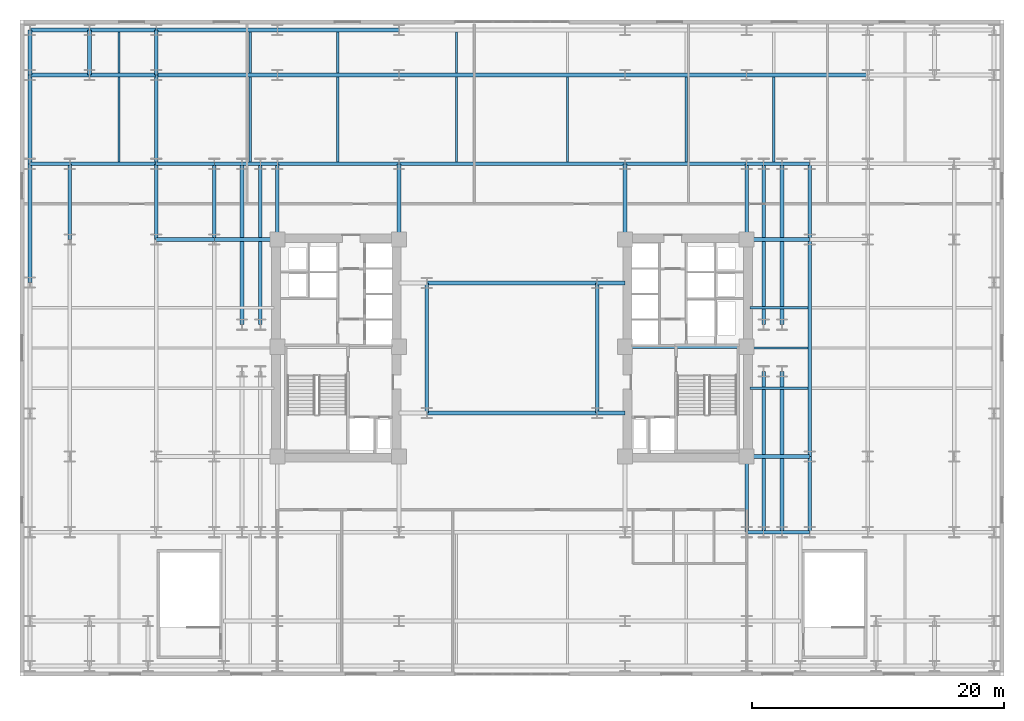
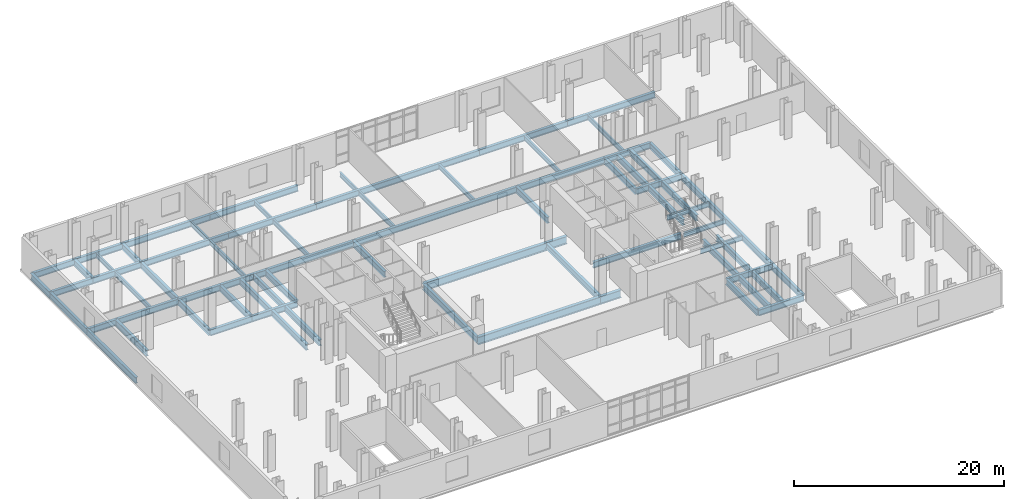
# One storey, part 4 of 13: 68 beams.
"""IFC4 building model written with IfcOpenShell, lengths in metres."""

from ifc_helpers import new_model, si_unit, direction, frame, origin, origin_2d, place, context, subcontext, project, spatial, i_section, extrude, material, material_profile, profile_set, type_object, element, save


model = new_model("IFC4")

# Units and contexts
model_context = context("Model", 3, precision=1e-05, world=origin(), true_north=direction((0.0, 1.0)))
body_context = subcontext(model_context, "Body", "Model", "MODEL_VIEW")
ifc_project = project(units=[si_unit("LENGTHUNIT", "METRE"), si_unit("AREAUNIT", "SQUARE_METRE"), si_unit("VOLUMEUNIT", "CUBIC_METRE"), si_unit("PLANEANGLEUNIT", "RADIAN"), si_unit("MASSUNIT", "GRAM", prefix="KILO")], contexts=[model_context])

# Site, building, storey
site_placement = place(None, origin())
site = spatial("IfcSite", under=ifc_project, at=site_placement, CompositionType="ELEMENT")
building_placement = place(site_placement, origin())
building = spatial("IfcBuilding", under=site, at=building_placement, Name="Velakula Bourse", CompositionType="ELEMENT")
storey_placement = place(building_placement, frame((0.0, 0.0, 22.800048828125)))
storey = spatial("IfcBuildingStorey", under=building, at=storey_placement, Name="L05", CompositionType="ELEMENT", Elevation=22.800048828125)

# Beams
ifc_material = material(Name="Steel IS 2062 Grade 350 (E350)", Category="steel")
ifc_material_profile_1 = material_profile(ifc_material, i_section(OverallWidth=0.35009765625, OverallDepth=0.89990234375, WebThickness=0.02001953125, FlangeThickness=0.031982421875, at=origin_2d()), Name="Steel IS 2062 Grade 350 (E350)")
ifc_profile_set_1 = profile_set([ifc_material_profile_1], Name="Steel IS 2062 Grade 350 (E350)")
beam_type_1 = type_object("IfcBeamType", Name="BM-LNK-900", PredefinedType="BEAM", material=ifc_profile_set_1)
beam_1_placement = place(storey_placement, frame((-6.75, -5.14990234375, -0.699951171875), z_axis=(1.0, 0.0, 0.0), x_axis=(0.0, 1.0, 0.0)))
element("IfcBeam", 1, at=beam_1_placement, inside=storey, type_object=beam_type_1, Name="L05 Primary Backbone Girder LNK-S2", PredefinedType="BEAM", context=body_context, shape_type="SweptSolid", body=[
    extrude(i_section(OverallWidth=0.35009765625, OverallDepth=0.89990234375, WebThickness=0.02001953125, FlangeThickness=0.031982421875, at=origin_2d()), origin(), (0.0, 0.0, 1.0), 13.5),
])
beam_2_placement = place(storey_placement, frame((6.75, -5.14990234375, -0.699951171875), z_axis=(1.0, 0.0, 0.0), x_axis=(0.0, 1.0, 0.0)))
element("IfcBeam", 2, at=beam_2_placement, inside=storey, type_object=beam_type_1, Name="L05 Primary Backbone Girder LNK-S3", PredefinedType="BEAM", context=body_context, shape_type="SweptSolid", body=[
    extrude(i_section(OverallWidth=0.35009765625, OverallDepth=0.89990234375, WebThickness=0.02001953125, FlangeThickness=0.031982421875, at=origin_2d()), origin(), (0.0, 0.0, 1.0), 2.199951171875),
])
beam_3_placement = place(storey_placement, frame((-6.75, 5.14990234375, -0.699951171875), z_axis=(1.0, 0.0, 0.0), x_axis=(0.0, 1.0, 0.0)))
element("IfcBeam", 3, at=beam_3_placement, inside=storey, type_object=beam_type_1, Name="L05 Primary Backbone Girder LNK-N2", PredefinedType="BEAM", context=body_context, shape_type="SweptSolid", body=[
    extrude(i_section(OverallWidth=0.35009765625, OverallDepth=0.89990234375, WebThickness=0.02001953125, FlangeThickness=0.031982421875, at=origin_2d()), origin(), (0.0, 0.0, 1.0), 13.5),
])
beam_4_placement = place(storey_placement, frame((6.75, 5.14990234375, -0.699951171875), z_axis=(1.0, 0.0, 0.0), x_axis=(0.0, 1.0, 0.0)))
element("IfcBeam", 4, at=beam_4_placement, inside=storey, type_object=beam_type_1, Name="L05 Primary Backbone Girder LNK-N3", PredefinedType="BEAM", context=body_context, shape_type="SweptSolid", body=[
    extrude(i_section(OverallWidth=0.35009765625, OverallDepth=0.89990234375, WebThickness=0.02001953125, FlangeThickness=0.031982421875, at=origin_2d()), origin(), (0.0, 0.0, 1.0), 2.199951171875),
])
ifc_material_profile_2 = material_profile(ifc_material, i_section(OverallWidth=0.300048828125, OverallDepth=0.699951171875, WebThickness=0.01611328125, FlangeThickness=0.02490234375, at=origin_2d()), Name="Steel IS 2062 Grade 350 (E350)")
ifc_profile_set_2 = profile_set([ifc_material_profile_2], Name="Steel IS 2062 Grade 350 (E350)")
beam_type_2 = type_object("IfcBeamType", Name="BM-POD-700", PredefinedType="BEAM", material=ifc_profile_set_2)
beam_5_placement = place(storey_placement, frame((8.949951171875, 0.10009765625, -0.60009765625), z_axis=(1.0, 0.0, 0.0), x_axis=(0.0, 1.0, 0.0)))
element("IfcBeam", 5, at=beam_5_placement, inside=storey, type_object=beam_type_2, Name="L05 Primary Backbone Girder CRE-M", PredefinedType="BEAM", context=body_context, shape_type="SweptSolid", body=[
    extrude(i_section(OverallWidth=0.300048828125, OverallDepth=0.699951171875, WebThickness=0.01611328125, FlangeThickness=0.02490234375, at=origin_2d()), origin(), (0.0, 0.0, 1.0), 9.650146484375),
])
for number, where, z_axis, x_axis, name in (
    (6, (-6.75, -5.14990234375, -0.60009765625), (0.0, 1.0, 0.0), (-1.0, 0.0, 0.0), "L05 Primary Backbone Girder SPN-W"),
    (7, (6.75, -5.14990234375, -0.60009765625), (0.0, 1.0, 0.0), (-1.0, 0.0, 0.0), "L05 Primary Backbone Girder SPN-E"),
):
    element("IfcBeam", number, at=place(storey_placement, frame(where, z_axis=z_axis, x_axis=x_axis)), inside=storey, type_object=beam_type_2, Name=name, PredefinedType="BEAM", context=body_context, shape_type="SweptSolid", body=[
        extrude(i_section(OverallWidth=0.300048828125, OverallDepth=0.699951171875, WebThickness=0.01611328125, FlangeThickness=0.02490234375, at=origin_2d()), origin(), (0.0, 0.0, 1.0), 10.2998046875),
    ])
for number, where, z_axis, x_axis, name in (
    (8, (-18.60009765625, 8.60009765625, -0.60009765625), (0.0, 1.0, 0.0), (-1.0, 0.0, 0.0), "L05 Fulcrum Grid Girder FLC-WN"),
    (9, (-8.949951171875, 8.60009765625, -0.60009765625), (0.0, 1.0, 0.0), (-1.0, 0.0, 0.0), "L05 Fulcrum Grid Girder FLC-WCN"),
    (10, (8.949951171875, 8.60009765625, -0.60009765625), (0.0, 1.0, 0.0), (-1.0, 0.0, 0.0), "L05 Fulcrum Grid Girder FLC-ECN"),
    (11, (18.60009765625, -14.60009765625, -0.60009765625), (0.0, 1.0, 0.0), (-1.0, 0.0, 0.0), "L05 Fulcrum Grid Girder FLC-ES"),
    (12, (18.60009765625, 8.60009765625, -0.60009765625), (0.0, 1.0, 0.0), (-1.0, 0.0, 0.0), "L05 Fulcrum Grid Girder FLC-EN"),
):
    element("IfcBeam", number, at=place(storey_placement, frame(where, z_axis=z_axis, x_axis=x_axis)), inside=storey, type_object=beam_type_2, Name=name, PredefinedType="BEAM", context=body_context, shape_type="SweptSolid", body=[
        extrude(i_section(OverallWidth=0.300048828125, OverallDepth=0.699951171875, WebThickness=0.01611328125, FlangeThickness=0.02490234375, at=origin_2d()), origin(), (0.0, 0.0, 1.0), 6.0),
    ])
beam_6_placement = place(storey_placement, frame((-18.60009765625, 14.60009765625, -0.60009765625), z_axis=(1.0, 0.0, 0.0), x_axis=(0.0, 1.0, 0.0)))
element("IfcBeam", 13, at=beam_6_placement, inside=storey, type_object=beam_type_2, Name="L05 Fulcrum Grid Girder FLC-N1", PredefinedType="BEAM", context=body_context, shape_type="SweptSolid", body=[
    extrude(i_section(OverallWidth=0.300048828125, OverallDepth=0.699951171875, WebThickness=0.01611328125, FlangeThickness=0.02490234375, at=origin_2d()), origin(), (0.0, 0.0, 1.0), 9.650146484375),
])
beam_7_placement = place(storey_placement, frame((-8.949951171875, 14.60009765625, -0.60009765625), z_axis=(1.0, 0.0, 0.0), x_axis=(0.0, 1.0, 0.0)))
element("IfcBeam", 14, at=beam_7_placement, inside=storey, type_object=beam_type_2, Name="L05 Fulcrum Grid Girder FLC-N2", PredefinedType="BEAM", context=body_context, shape_type="SweptSolid", body=[
    extrude(i_section(OverallWidth=0.300048828125, OverallDepth=0.699951171875, WebThickness=0.01611328125, FlangeThickness=0.02490234375, at=origin_2d()), origin(), (0.0, 0.0, 1.0), 17.89990234375),
])
beam_8_placement = place(storey_placement, frame((8.949951171875, 14.60009765625, -0.60009765625), z_axis=(1.0, 0.0, 0.0), x_axis=(0.0, 1.0, 0.0)))
element("IfcBeam", 15, at=beam_8_placement, inside=storey, type_object=beam_type_2, Name="L05 Fulcrum Grid Girder FLC-N3", PredefinedType="BEAM", context=body_context, shape_type="SweptSolid", body=[
    extrude(i_section(OverallWidth=0.300048828125, OverallDepth=0.699951171875, WebThickness=0.01611328125, FlangeThickness=0.02490234375, at=origin_2d()), origin(), (0.0, 0.0, 1.0), 9.650146484375),
])
for number, where, z_axis, x_axis, name in (
    (16, (-21.39990234375, 1.85009765625, -0.60009765625), (0.0, 1.0, 0.0), (-1.0, 0.0, 0.0), "L05 Fulcrum Grid Girder FLC-PNW1"),
    (17, (-19.949951171875, 1.85009765625, -0.60009765625), (0.0, 1.0, 0.0), (-1.0, 0.0, 0.0), "L05 Fulcrum Grid Girder FLC-PNW2"),
    (18, (19.949951171875, -14.60009765625, -0.60009765625), (0.0, 1.0, 0.0), (-1.0, 0.0, 0.0), "L05 Fulcrum Grid Girder FLC-PSE1"),
    (19, (19.949951171875, 1.85009765625, -0.60009765625), (0.0, 1.0, 0.0), (-1.0, 0.0, 0.0), "L05 Fulcrum Grid Girder FLC-PNE1"),
    (20, (21.39990234375, -14.60009765625, -0.60009765625), (0.0, 1.0, 0.0), (-1.0, 0.0, 0.0), "L05 Fulcrum Grid Girder FLC-PSE2"),
    (21, (21.39990234375, 1.85009765625, -0.60009765625), (0.0, 1.0, 0.0), (-1.0, 0.0, 0.0), "L05 Fulcrum Grid Girder FLC-PNE2"),
):
    element("IfcBeam", number, at=place(storey_placement, frame(where, z_axis=z_axis, x_axis=x_axis)), inside=storey, type_object=beam_type_2, Name=name, PredefinedType="BEAM", context=body_context, shape_type="SweptSolid", body=[
        extrude(i_section(OverallWidth=0.300048828125, OverallDepth=0.699951171875, WebThickness=0.01611328125, FlangeThickness=0.02490234375, at=origin_2d()), origin(), (0.0, 0.0, 1.0), 12.75),
    ])
for number, where, z_axis, x_axis, name in (
    (22, (-23.60009765625, 8.60009765625, -0.60009765625), (1.0, 0.0, 0.0), (0.0, 1.0, 0.0), "L05 Fulcrum Grid Girder MWG-WN1"),
    (23, (-23.60009765625, 14.60009765625, -0.60009765625), (1.0, 0.0, 0.0), (0.0, 1.0, 0.0), "L05 Fulcrum Grid Girder MWG-WN2"),
):
    element("IfcBeam", number, at=place(storey_placement, frame(where, z_axis=z_axis, x_axis=x_axis)), inside=storey, type_object=beam_type_2, Name=name, PredefinedType="BEAM", context=body_context, shape_type="SweptSolid", body=[
        extrude(i_section(OverallWidth=0.300048828125, OverallDepth=0.699951171875, WebThickness=0.01611328125, FlangeThickness=0.02490234375, at=origin_2d()), origin(), (0.0, 0.0, 1.0), 5.0),
    ])
beam_9_placement = place(storey_placement, frame((-23.60009765625, 8.60009765625, -0.60009765625), z_axis=(0.0, 1.0, 0.0), x_axis=(-1.0, 0.0, 0.0)))
element("IfcBeam", 24, at=beam_9_placement, inside=storey, type_object=beam_type_2, Name="L05 Fulcrum Grid Girder MWG-WNS3", PredefinedType="BEAM", context=body_context, shape_type="SweptSolid", body=[
    extrude(i_section(OverallWidth=0.300048828125, OverallDepth=0.699951171875, WebThickness=0.01611328125, FlangeThickness=0.02490234375, at=origin_2d()), origin(), (0.0, 0.0, 1.0), 6.0),
])
for number, where, z_axis, x_axis, name in (
    (25, (18.60009765625, -14.60009765625, -0.60009765625), (1.0, 0.0, 0.0), (0.0, 1.0, 0.0), "L05 Fulcrum Grid Girder MWG-ES1"),
    (26, (18.60009765625, -8.60009765625, -0.60009765625), (1.0, 0.0, 0.0), (0.0, 1.0, 0.0), "L05 Fulcrum Grid Girder MWG-ES2"),
    (27, (18.60009765625, 8.60009765625, -0.60009765625), (1.0, 0.0, 0.0), (0.0, 1.0, 0.0), "L05 Fulcrum Grid Girder MWG-EN1"),
    (28, (18.60009765625, 14.60009765625, -0.60009765625), (1.0, 0.0, 0.0), (0.0, 1.0, 0.0), "L05 Fulcrum Grid Girder MWG-EN2"),
):
    element("IfcBeam", number, at=place(storey_placement, frame(where, z_axis=z_axis, x_axis=x_axis)), inside=storey, type_object=beam_type_2, Name=name, PredefinedType="BEAM", context=body_context, shape_type="SweptSolid", body=[
        extrude(i_section(OverallWidth=0.300048828125, OverallDepth=0.699951171875, WebThickness=0.01611328125, FlangeThickness=0.02490234375, at=origin_2d()), origin(), (0.0, 0.0, 1.0), 5.0),
    ])
beam_10_placement = place(storey_placement, frame((23.60009765625, -14.60009765625, -0.60009765625), z_axis=(0.0, 1.0, 0.0), x_axis=(-1.0, 0.0, 0.0)))
element("IfcBeam", 29, at=beam_10_placement, inside=storey, type_object=beam_type_2, Name="L05 Fulcrum Grid Girder MWG-ENS1", PredefinedType="BEAM", context=body_context, shape_type="SweptSolid", body=[
    extrude(i_section(OverallWidth=0.300048828125, OverallDepth=0.699951171875, WebThickness=0.01611328125, FlangeThickness=0.02490234375, at=origin_2d()), origin(), (0.0, 0.0, 1.0), 6.0),
])
beam_11_placement = place(storey_placement, frame((23.60009765625, -8.60009765625, -0.60009765625), z_axis=(0.0, 1.0, 0.0), x_axis=(-1.0, 0.0, 0.0)))
element("IfcBeam", 30, at=beam_11_placement, inside=storey, type_object=beam_type_2, Name="L05 Fulcrum Grid Girder MWG-ENS2", PredefinedType="BEAM", context=body_context, shape_type="SweptSolid", body=[
    extrude(i_section(OverallWidth=0.300048828125, OverallDepth=0.699951171875, WebThickness=0.01611328125, FlangeThickness=0.02490234375, at=origin_2d()), origin(), (0.0, 0.0, 1.0), 17.2001953125),
])
beam_12_placement = place(storey_placement, frame((23.60009765625, 8.60009765625, -0.60009765625), z_axis=(0.0, 1.0, 0.0), x_axis=(-1.0, 0.0, 0.0)))
element("IfcBeam", 31, at=beam_12_placement, inside=storey, type_object=beam_type_2, Name="L05 Fulcrum Grid Girder MWG-ENS3", PredefinedType="BEAM", context=body_context, shape_type="SweptSolid", body=[
    extrude(i_section(OverallWidth=0.300048828125, OverallDepth=0.699951171875, WebThickness=0.01611328125, FlangeThickness=0.02490234375, at=origin_2d()), origin(), (0.0, 0.0, 1.0), 6.0),
])
for number, where, z_axis, x_axis, name in (
    (32, (-28.199951171875, 8.60009765625, -0.60009765625), (1.0, 0.0, 0.0), (0.0, 1.0, 0.0), "L05 Fulcrum Grid Girder WNG-WN1"),
    (33, (-28.199951171875, 14.60009765625, -0.60009765625), (1.0, 0.0, 0.0), (0.0, 1.0, 0.0), "L05 Fulcrum Grid Girder WNG-WN2"),
):
    element("IfcBeam", number, at=place(storey_placement, frame(where, z_axis=z_axis, x_axis=x_axis)), inside=storey, type_object=beam_type_2, Name=name, PredefinedType="BEAM", context=body_context, shape_type="SweptSolid", body=[
        extrude(i_section(OverallWidth=0.300048828125, OverallDepth=0.699951171875, WebThickness=0.01611328125, FlangeThickness=0.02490234375, at=origin_2d()), origin(), (0.0, 0.0, 1.0), 4.599853515625),
    ])
beam_13_placement = place(storey_placement, frame((-28.199951171875, 8.60009765625, -0.60009765625), z_axis=(0.0, 1.0, 0.0), x_axis=(-1.0, 0.0, 0.0)))
element("IfcBeam", 34, at=beam_13_placement, inside=storey, type_object=beam_type_2, Name="L05 Fulcrum Grid Girder WNG-WNS3", PredefinedType="BEAM", context=body_context, shape_type="SweptSolid", body=[
    extrude(i_section(OverallWidth=0.300048828125, OverallDepth=0.699951171875, WebThickness=0.01611328125, FlangeThickness=0.02490234375, at=origin_2d()), origin(), (0.0, 0.0, 1.0), 6.0),
])
beam_14_placement = place(storey_placement, frame((-38.199951171875, 14.60009765625, -0.60009765625), z_axis=(1.0, 0.0, 0.0), x_axis=(0.0, 1.0, 0.0)))
element("IfcBeam", 35, at=beam_14_placement, inside=storey, type_object=beam_type_2, Name="L05 Podium E-W Girder 34", PredefinedType="BEAM", context=body_context, shape_type="SweptSolid", body=[
    extrude(i_section(OverallWidth=0.300048828125, OverallDepth=0.699951171875, WebThickness=0.01611328125, FlangeThickness=0.02490234375, at=origin_2d()), origin(), (0.0, 0.0, 1.0), 3.14990234375),
])
beam_15_placement = place(storey_placement, frame((-35.050048828125, 14.60009765625, -0.60009765625), z_axis=(1.0, 0.0, 0.0), x_axis=(0.0, 1.0, 0.0)))
element("IfcBeam", 36, at=beam_15_placement, inside=storey, type_object=beam_type_2, Name="L05 Podium E-W Girder 35", PredefinedType="BEAM", context=body_context, shape_type="SweptSolid", body=[
    extrude(i_section(OverallWidth=0.300048828125, OverallDepth=0.699951171875, WebThickness=0.01611328125, FlangeThickness=0.02490234375, at=origin_2d()), origin(), (0.0, 0.0, 1.0), 6.85009765625),
])
beam_16_placement = place(storey_placement, frame((-38.199951171875, 21.64990234375, -0.60009765625), z_axis=(1.0, 0.0, 0.0), x_axis=(0.0, 1.0, 0.0)))
element("IfcBeam", 37, at=beam_16_placement, inside=storey, type_object=beam_type_2, Name="L05 Podium E-W Girder 47", PredefinedType="BEAM", context=body_context, shape_type="SweptSolid", body=[
    extrude(i_section(OverallWidth=0.300048828125, OverallDepth=0.699951171875, WebThickness=0.01611328125, FlangeThickness=0.02490234375, at=origin_2d()), origin(), (0.0, 0.0, 1.0), 4.699951171875),
])
beam_17_placement = place(storey_placement, frame((-33.5, 21.64990234375, -0.60009765625), z_axis=(1.0, 0.0, 0.0), x_axis=(0.0, 1.0, 0.0)))
element("IfcBeam", 38, at=beam_17_placement, inside=storey, type_object=beam_type_2, Name="L05 Podium E-W Girder 48", PredefinedType="BEAM", context=body_context, shape_type="SweptSolid", body=[
    extrude(i_section(OverallWidth=0.300048828125, OverallDepth=0.699951171875, WebThickness=0.01611328125, FlangeThickness=0.02490234375, at=origin_2d()), origin(), (0.0, 0.0, 1.0), 5.300048828125),
])
beam_18_placement = place(storey_placement, frame((-28.199951171875, 21.64990234375, -0.60009765625), z_axis=(1.0, 0.0, 0.0), x_axis=(0.0, 1.0, 0.0)))
element("IfcBeam", 39, at=beam_18_placement, inside=storey, type_object=beam_type_2, Name="L05 Podium E-W Girder 49", PredefinedType="BEAM", context=body_context, shape_type="SweptSolid", body=[
    extrude(i_section(OverallWidth=0.300048828125, OverallDepth=0.699951171875, WebThickness=0.01611328125, FlangeThickness=0.02490234375, at=origin_2d()), origin(), (0.0, 0.0, 1.0), 9.599853515625),
])
beam_19_placement = place(storey_placement, frame((-18.60009765625, 21.64990234375, -0.60009765625), z_axis=(1.0, 0.0, 0.0), x_axis=(0.0, 1.0, 0.0)))
element("IfcBeam", 40, at=beam_19_placement, inside=storey, type_object=beam_type_2, Name="L05 Podium E-W Girder 50", PredefinedType="BEAM", context=body_context, shape_type="SweptSolid", body=[
    extrude(i_section(OverallWidth=0.300048828125, OverallDepth=0.699951171875, WebThickness=0.01611328125, FlangeThickness=0.02490234375, at=origin_2d()), origin(), (0.0, 0.0, 1.0), 9.650146484375),
])
beam_20_placement = place(storey_placement, frame((-8.949951171875, 21.64990234375, -0.60009765625), z_axis=(1.0, 0.0, 0.0), x_axis=(0.0, 1.0, 0.0)))
element("IfcBeam", 41, at=beam_20_placement, inside=storey, type_object=beam_type_2, Name="L05 Podium E-W Girder 51", PredefinedType="BEAM", context=body_context, shape_type="SweptSolid", body=[
    extrude(i_section(OverallWidth=0.300048828125, OverallDepth=0.699951171875, WebThickness=0.01611328125, FlangeThickness=0.02490234375, at=origin_2d()), origin(), (0.0, 0.0, 1.0), 17.89990234375),
])
beam_21_placement = place(storey_placement, frame((8.949951171875, 21.64990234375, -0.60009765625), z_axis=(1.0, 0.0, 0.0), x_axis=(0.0, 1.0, 0.0)))
element("IfcBeam", 42, at=beam_21_placement, inside=storey, type_object=beam_type_2, Name="L05 Podium E-W Girder 52", PredefinedType="BEAM", context=body_context, shape_type="SweptSolid", body=[
    extrude(i_section(OverallWidth=0.300048828125, OverallDepth=0.699951171875, WebThickness=0.01611328125, FlangeThickness=0.02490234375, at=origin_2d()), origin(), (0.0, 0.0, 1.0), 9.650146484375),
])
beam_22_placement = place(storey_placement, frame((18.60009765625, 21.64990234375, -0.60009765625), z_axis=(1.0, 0.0, 0.0), x_axis=(0.0, 1.0, 0.0)))
element("IfcBeam", 43, at=beam_22_placement, inside=storey, type_object=beam_type_2, Name="L05 Podium E-W Girder 53", PredefinedType="BEAM", context=body_context, shape_type="SweptSolid", body=[
    extrude(i_section(OverallWidth=0.300048828125, OverallDepth=0.699951171875, WebThickness=0.01611328125, FlangeThickness=0.02490234375, at=origin_2d()), origin(), (0.0, 0.0, 1.0), 9.599853515625),
])
beam_23_placement = place(storey_placement, frame((-38.199951171875, 25.199951171875, -0.60009765625), z_axis=(1.0, 0.0, 0.0), x_axis=(0.0, 1.0, 0.0)))
element("IfcBeam", 44, at=beam_23_placement, inside=storey, type_object=beam_type_2, Name="L05 Podium E-W Girder 56", PredefinedType="BEAM", context=body_context, shape_type="SweptSolid", body=[
    extrude(i_section(OverallWidth=0.300048828125, OverallDepth=0.699951171875, WebThickness=0.01611328125, FlangeThickness=0.02490234375, at=origin_2d()), origin(), (0.0, 0.0, 1.0), 4.699951171875),
])
beam_24_placement = place(storey_placement, frame((-33.5, 25.199951171875, -0.60009765625), z_axis=(1.0, 0.0, 0.0), x_axis=(0.0, 1.0, 0.0)))
element("IfcBeam", 45, at=beam_24_placement, inside=storey, type_object=beam_type_2, Name="L05 Podium E-W Girder 57", PredefinedType="BEAM", context=body_context, shape_type="SweptSolid", body=[
    extrude(i_section(OverallWidth=0.300048828125, OverallDepth=0.699951171875, WebThickness=0.01611328125, FlangeThickness=0.02490234375, at=origin_2d()), origin(), (0.0, 0.0, 1.0), 5.300048828125),
])
beam_25_placement = place(storey_placement, frame((-28.199951171875, 25.199951171875, -0.60009765625), z_axis=(1.0, 0.0, 0.0), x_axis=(0.0, 1.0, 0.0)))
element("IfcBeam", 46, at=beam_25_placement, inside=storey, type_object=beam_type_2, Name="L05 Podium E-W Girder 58", PredefinedType="BEAM", context=body_context, shape_type="SweptSolid", body=[
    extrude(i_section(OverallWidth=0.300048828125, OverallDepth=0.699951171875, WebThickness=0.01611328125, FlangeThickness=0.02490234375, at=origin_2d()), origin(), (0.0, 0.0, 1.0), 9.599853515625),
])
beam_26_placement = place(storey_placement, frame((-18.60009765625, 25.199951171875, -0.60009765625), z_axis=(1.0, 0.0, 0.0), x_axis=(0.0, 1.0, 0.0)))
element("IfcBeam", 47, at=beam_26_placement, inside=storey, type_object=beam_type_2, Name="L05 Podium E-W Girder 59", PredefinedType="BEAM", context=body_context, shape_type="SweptSolid", body=[
    extrude(i_section(OverallWidth=0.300048828125, OverallDepth=0.699951171875, WebThickness=0.01611328125, FlangeThickness=0.02490234375, at=origin_2d()), origin(), (0.0, 0.0, 1.0), 9.650146484375),
])
beam_27_placement = place(storey_placement, frame((-38.199951171875, 5.199951171875, -0.60009765625), z_axis=(0.0, 1.0, 0.0), x_axis=(-1.0, 0.0, 0.0)))
element("IfcBeam", 48, at=beam_27_placement, inside=storey, type_object=beam_type_2, Name="L05 Podium N-S Girder 69", PredefinedType="BEAM", context=body_context, shape_type="SweptSolid", body=[
    extrude(i_section(OverallWidth=0.300048828125, OverallDepth=0.699951171875, WebThickness=0.01611328125, FlangeThickness=0.02490234375, at=origin_2d()), origin(), (0.0, 0.0, 1.0), 9.400146484375),
])
beam_28_placement = place(storey_placement, frame((-38.199951171875, 14.60009765625, -0.60009765625), z_axis=(0.0, 1.0, 0.0), x_axis=(-1.0, 0.0, 0.0)))
element("IfcBeam", 49, at=beam_28_placement, inside=storey, type_object=beam_type_2, Name="L05 Podium N-S Girder 70", PredefinedType="BEAM", context=body_context, shape_type="SweptSolid", body=[
    extrude(i_section(OverallWidth=0.300048828125, OverallDepth=0.699951171875, WebThickness=0.01611328125, FlangeThickness=0.02490234375, at=origin_2d()), origin(), (0.0, 0.0, 1.0), 7.0498046875),
])
beam_29_placement = place(storey_placement, frame((-38.199951171875, 21.64990234375, -0.60009765625), z_axis=(0.0, 1.0, 0.0), x_axis=(-1.0, 0.0, 0.0)))
element("IfcBeam", 50, at=beam_29_placement, inside=storey, type_object=beam_type_2, Name="L05 Podium N-S Girder 71", PredefinedType="BEAM", context=body_context, shape_type="SweptSolid", body=[
    extrude(i_section(OverallWidth=0.300048828125, OverallDepth=0.699951171875, WebThickness=0.01611328125, FlangeThickness=0.02490234375, at=origin_2d()), origin(), (0.0, 0.0, 1.0), 3.550048828125),
])
beam_30_placement = place(storey_placement, frame((-35.050048828125, 8.60009765625, -0.60009765625), z_axis=(0.0, 1.0, 0.0), x_axis=(-1.0, 0.0, 0.0)))
element("IfcBeam", 51, at=beam_30_placement, inside=storey, type_object=beam_type_2, Name="L05 Podium N-S Girder 74", PredefinedType="BEAM", context=body_context, shape_type="SweptSolid", body=[
    extrude(i_section(OverallWidth=0.300048828125, OverallDepth=0.699951171875, WebThickness=0.01611328125, FlangeThickness=0.02490234375, at=origin_2d()), origin(), (0.0, 0.0, 1.0), 6.0),
])
beam_31_placement = place(storey_placement, frame((-28.199951171875, 14.60009765625, -0.60009765625), z_axis=(0.0, 1.0, 0.0), x_axis=(-1.0, 0.0, 0.0)))
element("IfcBeam", 52, at=beam_31_placement, inside=storey, type_object=beam_type_2, Name="L05 Podium N-S Girder 80", PredefinedType="BEAM", context=body_context, shape_type="SweptSolid", body=[
    extrude(i_section(OverallWidth=0.300048828125, OverallDepth=0.699951171875, WebThickness=0.01611328125, FlangeThickness=0.02490234375, at=origin_2d()), origin(), (0.0, 0.0, 1.0), 7.0498046875),
])
for number, where, z_axis, x_axis, name in (
    (53, (-28.199951171875, 21.64990234375, -0.60009765625), (0.0, 1.0, 0.0), (-1.0, 0.0, 0.0), "L05 Podium N-S Girder 81"),
    (54, (-33.5, 21.64990234375, -0.60009765625), (0.0, 1.0, 0.0), (-1.0, 0.0, 0.0), "L05 Podium N-S Girder 99"),
):
    element("IfcBeam", number, at=place(storey_placement, frame(where, z_axis=z_axis, x_axis=x_axis)), inside=storey, type_object=beam_type_2, Name=name, PredefinedType="BEAM", context=body_context, shape_type="SweptSolid", body=[
        extrude(i_section(OverallWidth=0.300048828125, OverallDepth=0.699951171875, WebThickness=0.01611328125, FlangeThickness=0.02490234375, at=origin_2d()), origin(), (0.0, 0.0, 1.0), 3.550048828125),
    ])
ifc_material_profile_3 = material_profile(ifc_material, i_section(OverallWidth=0.18994140625, OverallDepth=0.550048828125, WebThickness=0.01123046875, FlangeThickness=0.019287109375, at=origin_2d()), Name="Steel IS 2062 Grade 350 (E350)")
ifc_profile_set_3 = profile_set([ifc_material_profile_3], Name="Steel IS 2062 Grade 350 (E350)")
beam_type_3 = type_object("IfcBeamType", Name="JST-POD-550", PredefinedType="JOIST", material=ifc_profile_set_3)
beam_32_placement = place(storey_placement, frame((-31.14990234375, 14.75, -0.525146484375), z_axis=(0.0, 1.0, 0.0), x_axis=(-1.0, 0.0, 0.0)))
element("IfcBeam", 55, at=beam_32_placement, inside=storey, type_object=beam_type_3, Name="L05 Station Podium Floor Joist 03", PredefinedType="JOIST", context=body_context, shape_type="SweptSolid", body=[
    extrude(i_section(OverallWidth=0.18994140625, OverallDepth=0.550048828125, WebThickness=0.01123046875, FlangeThickness=0.019287109375, at=origin_2d()), origin(), (0.0, 0.0, 1.0), 6.75),
])
beam_33_placement = place(storey_placement, frame((-31.14990234375, 21.800048828125, -0.525146484375), z_axis=(0.0, 1.0, 0.0), x_axis=(-1.0, 0.0, 0.0)))
element("IfcBeam", 56, at=beam_33_placement, inside=storey, type_object=beam_type_3, Name="L05 Station Podium Floor Joist 04", PredefinedType="JOIST", context=body_context, shape_type="SweptSolid", body=[
    extrude(i_section(OverallWidth=0.18994140625, OverallDepth=0.550048828125, WebThickness=0.01123046875, FlangeThickness=0.019287109375, at=origin_2d()), origin(), (0.0, 0.0, 1.0), 3.25),
])
beam_34_placement = place(storey_placement, frame((-20.75, 14.75, -0.525146484375), z_axis=(0.0, 1.0, 0.0), x_axis=(-1.0, 0.0, 0.0)))
element("IfcBeam", 57, at=beam_34_placement, inside=storey, type_object=beam_type_3, Name="L05 Station Podium Floor Joist 07", PredefinedType="JOIST", context=body_context, shape_type="SweptSolid", body=[
    extrude(i_section(OverallWidth=0.18994140625, OverallDepth=0.550048828125, WebThickness=0.01123046875, FlangeThickness=0.019287109375, at=origin_2d()), origin(), (0.0, 0.0, 1.0), 6.75),
])
beam_35_placement = place(storey_placement, frame((-20.75, 21.800048828125, -0.525146484375), z_axis=(0.0, 1.0, 0.0), x_axis=(-1.0, 0.0, 0.0)))
element("IfcBeam", 58, at=beam_35_placement, inside=storey, type_object=beam_type_3, Name="L05 Station Podium Floor Joist 08", PredefinedType="JOIST", context=body_context, shape_type="SweptSolid", body=[
    extrude(i_section(OverallWidth=0.18994140625, OverallDepth=0.550048828125, WebThickness=0.01123046875, FlangeThickness=0.019287109375, at=origin_2d()), origin(), (0.0, 0.0, 1.0), 3.25),
])
beam_36_placement = place(storey_placement, frame((-13.800048828125, 14.75, -0.525146484375), z_axis=(0.0, 1.0, 0.0), x_axis=(-1.0, 0.0, 0.0)))
element("IfcBeam", 59, at=beam_36_placement, inside=storey, type_object=beam_type_3, Name="L05 Station Podium Floor Joist 11", PredefinedType="JOIST", context=body_context, shape_type="SweptSolid", body=[
    extrude(i_section(OverallWidth=0.18994140625, OverallDepth=0.550048828125, WebThickness=0.01123046875, FlangeThickness=0.019287109375, at=origin_2d()), origin(), (0.0, 0.0, 1.0), 6.75),
])
beam_37_placement = place(storey_placement, frame((-13.800048828125, 21.800048828125, -0.525146484375), z_axis=(0.0, 1.0, 0.0), x_axis=(-1.0, 0.0, 0.0)))
element("IfcBeam", 60, at=beam_37_placement, inside=storey, type_object=beam_type_3, Name="L05 Station Podium Floor Joist 12", PredefinedType="JOIST", context=body_context, shape_type="SweptSolid", body=[
    extrude(i_section(OverallWidth=0.18994140625, OverallDepth=0.550048828125, WebThickness=0.01123046875, FlangeThickness=0.019287109375, at=origin_2d()), origin(), (0.0, 0.0, 1.0), 3.25),
])
beam_38_placement = place(storey_placement, frame((-4.39990234375, 14.75, -0.525146484375), z_axis=(0.0, 1.0, 0.0), x_axis=(-1.0, 0.0, 0.0)))
element("IfcBeam", 61, at=beam_38_placement, inside=storey, type_object=beam_type_3, Name="L05 Station Podium Floor Joist 15", PredefinedType="JOIST", context=body_context, shape_type="SweptSolid", body=[
    extrude(i_section(OverallWidth=0.18994140625, OverallDepth=0.550048828125, WebThickness=0.01123046875, FlangeThickness=0.019287109375, at=origin_2d()), origin(), (0.0, 0.0, 1.0), 6.75),
])
beam_39_placement = place(storey_placement, frame((-4.39990234375, 21.800048828125, -0.525146484375), z_axis=(0.0, 1.0, 0.0), x_axis=(-1.0, 0.0, 0.0)))
element("IfcBeam", 62, at=beam_39_placement, inside=storey, type_object=beam_type_3, Name="L05 Station Podium Floor Joist 16", PredefinedType="JOIST", context=body_context, shape_type="SweptSolid", body=[
    extrude(i_section(OverallWidth=0.18994140625, OverallDepth=0.550048828125, WebThickness=0.01123046875, FlangeThickness=0.019287109375, at=origin_2d()), origin(), (0.0, 0.0, 1.0), 3.25),
])
for number, where, z_axis, x_axis, name in (
    (63, (4.39990234375, 14.75, -0.525146484375), (0.0, 1.0, 0.0), (-1.0, 0.0, 0.0), "L05 Station Podium Floor Joist 19"),
    (64, (13.800048828125, 14.75, -0.525146484375), (0.0, 1.0, 0.0), (-1.0, 0.0, 0.0), "L05 Station Podium Floor Joist 23"),
    (65, (20.75, 14.75, -0.525146484375), (0.0, 1.0, 0.0), (-1.0, 0.0, 0.0), "L05 Station Podium Floor Joist 27"),
):
    element("IfcBeam", number, at=place(storey_placement, frame(where, z_axis=z_axis, x_axis=x_axis)), inside=storey, type_object=beam_type_3, Name=name, PredefinedType="JOIST", context=body_context, shape_type="SweptSolid", body=[
        extrude(i_section(OverallWidth=0.18994140625, OverallDepth=0.550048828125, WebThickness=0.01123046875, FlangeThickness=0.019287109375, at=origin_2d()), origin(), (0.0, 0.0, 1.0), 6.75),
    ])
for number, where, z_axis, x_axis, name in (
    (66, (18.85009765625, -3.199951171875, -0.525146484375), (1.0, 0.0, 0.0), (0.0, 1.0, 0.0), "L05 Station Wing Floor Joist 37"),
    (67, (18.85009765625, 0.0, -0.525146484375), (1.0, 0.0, 0.0), (0.0, 1.0, 0.0), "L05 Station Wing Floor Joist 45"),
    (68, (18.85009765625, 3.199951171875, -0.525146484375), (1.0, 0.0, 0.0), (0.0, 1.0, 0.0), "L05 Station Wing Floor Joist 53"),
):
    element("IfcBeam", number, at=place(storey_placement, frame(where, z_axis=z_axis, x_axis=x_axis)), inside=storey, type_object=beam_type_3, Name=name, PredefinedType="JOIST", context=body_context, shape_type="SweptSolid", body=[
        extrude(i_section(OverallWidth=0.18994140625, OverallDepth=0.550048828125, WebThickness=0.01123046875, FlangeThickness=0.019287109375, at=origin_2d()), origin(), (0.0, 0.0, 1.0), 4.599853515625),
    ])

save(model, "model.ifc")
